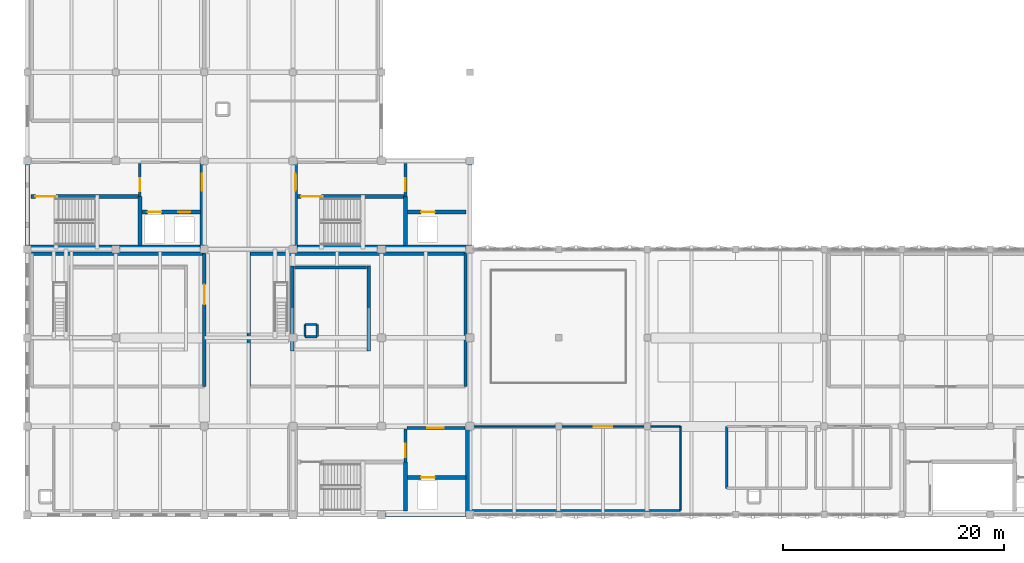
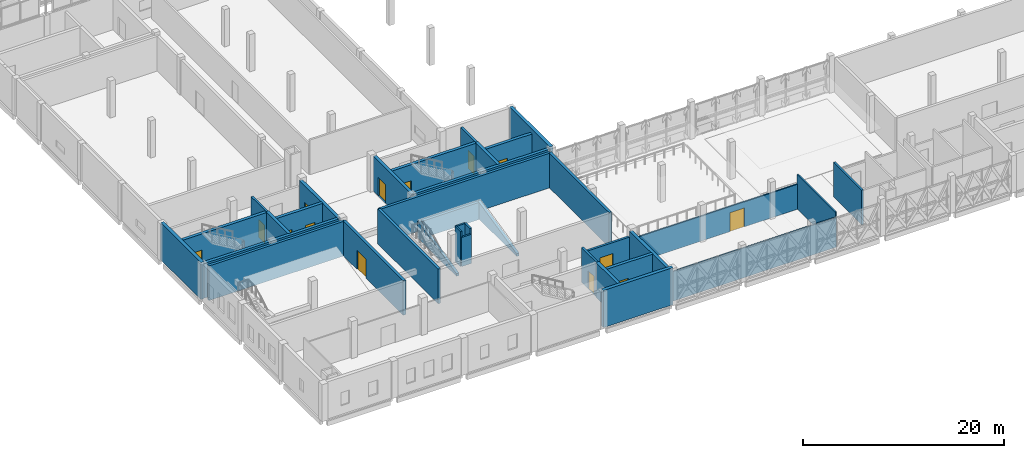
# One storey, part 36 of 43: 36 walls, 14 doors, 14 openings.
"""IFC4 building model written with IfcOpenShell, lengths in metres."""

import ifcopenshell
import ifcopenshell.guid

model = None  # the IFC model being written
_history = None  # IfcOwnerHistory: only IFC2X3 demands one
_inside = {}  # id of a spatial element -> (the spatial element, [elements in it])
_under = {}  # id of a project, library or spatial element -> (it, [spatial elements below it])
_declared = {}  # id of a project -> (the project, [libraries it declares])
_typed = {}  # id of a type object -> (the type object, [elements of that type])
_made_of = {}  # id of a material, layer set ... -> (it, [elements and type objects made of it])


def new_model(schema):
    """Start an empty IFC model of exactly this schema.

    Asked for "IFC4X3", IfcOpenShell would pick the latest addendum, in which some entities
    have other attributes; the version numbers below select the first issue.
    IFC2X3 requires an IfcOwnerHistory on every rooted entity: one is made here for all.
    """
    global model, _history
    if schema == "IFC4X3":
        model = ifcopenshell.file(schema_version=(4, 3, 0, 0))
    else:
        model = ifcopenshell.file(schema=schema)
    _inside.clear()
    _under.clear()
    _declared.clear()
    _typed.clear()
    _made_of.clear()
    _history = None
    if model.schema == "IFC2X3":
        org = make("IfcOrganization", Name="unknown")
        user = make(
            "IfcPersonAndOrganization",
            ThePerson=make("IfcPerson", FamilyName="unknown"),
            TheOrganization=org,
        )
        app = make(
            "IfcApplication",
            ApplicationDeveloper=org,
            Version="unknown",
            ApplicationFullName="unknown",
            ApplicationIdentifier="unknown",
        )
        _history = make(
            "IfcOwnerHistory",
            OwningUser=user,
            OwningApplication=app,
            ChangeAction="ADDED",
            CreationDate=0,
        )
    return model


def make(cls, **values):
    """One entity of the class cls with the attributes given. An attribute that is None is left unset."""
    return model.create_entity(
        cls, **{name: value for name, value in values.items() if value is not None}
    )


def rooted(cls, **values):
    """An entity with a GlobalId (a new one), such as an element, a storey or a relation."""
    return make(cls, GlobalId=ifcopenshell.guid.new(), OwnerHistory=_history, **values)


def si_unit(unit_type, name, prefix=None):
    """IfcSIUnit, for example si_unit("LENGTHUNIT", "METRE", prefix="MILLI")."""
    return make("IfcSIUnit", UnitType=unit_type, Prefix=prefix, Name=name)


def assignment(units):
    """IfcUnitAssignment: the units of a project."""
    return None if units is None else make("IfcUnitAssignment", Units=units)


def point(xyz):
    """IfcCartesianPoint."""
    return None if xyz is None else make("IfcCartesianPoint", Coordinates=xyz)


def direction(xyz):
    """IfcDirection."""
    return None if xyz is None else make("IfcDirection", DirectionRatios=xyz)


def frame(location, z_axis=None, x_axis=None):
    """IfcAxis2Placement3D, a coordinate frame: its origin and axes. An axis left out is left unset."""
    return make(
        "IfcAxis2Placement3D",
        Location=point(location),
        Axis=direction(z_axis),
        RefDirection=direction(x_axis),
    )


def frame_2d(location, x_axis=None):
    """IfcAxis2Placement2D, a coordinate frame in the plane: its origin and x axis."""
    return make(
        "IfcAxis2Placement2D", Location=point(location), RefDirection=direction(x_axis)
    )


def origin():
    """The frame at (0, 0, 0) with its axes left unset."""
    return frame((0.0, 0.0, 0.0))


def place(relative_to, where):
    """IfcLocalPlacement: puts the frame where relative to a parent placement (None: the world)."""
    return make(
        "IfcLocalPlacement", PlacementRelTo=relative_to, RelativePlacement=where
    )


def context(
    kind, dimensions, precision=None, world=None, true_north=None, identifier=None
):
    """IfcGeometricRepresentationContext, for example the 3D "Model" context."""
    return make(
        "IfcGeometricRepresentationContext",
        ContextIdentifier=identifier,
        ContextType=kind,
        CoordinateSpaceDimension=dimensions,
        Precision=precision,
        WorldCoordinateSystem=world,
        TrueNorth=true_north,
    )


def subcontext(parent, identifier, kind, view, scale=None):
    """IfcGeometricRepresentationSubContext, for example "Body" below "Model"."""
    return make(
        "IfcGeometricRepresentationSubContext",
        ContextIdentifier=identifier,
        ContextType=kind,
        ParentContext=parent,
        TargetScale=scale,
        TargetView=view,
    )


def project(units=None, contexts=None):
    """IfcProject with its units and contexts."""
    return rooted(
        "IfcProject",
        Name="project",
        RepresentationContexts=contexts,
        UnitsInContext=assignment(units),
    )


def spatial(cls, under=None, at=None, **own):
    """A site, building, storey or space (cls), placed at a placement, below another one or the project."""
    s = rooted(cls, ObjectPlacement=at, **own)
    if under is not None:
        _under.setdefault(under.id(), (under, []))[1].append(s)
    return s


def polyline(points):
    """IfcPolyline through the points."""
    return make("IfcPolyline", Points=[point(p) for p in points])


def profile(cls, at=None, kind="AREA", **sizes):
    """A parametric profile (cls). Its sizes go by their IFC names, for example OverallWidth=200.0."""
    return make(cls, ProfileType=kind, Position=at, **sizes)


def rectangle(**sizes):
    """IfcRectangleProfileDef."""
    return profile("IfcRectangleProfileDef", **sizes)


def outline(outer, holes=None, kind="AREA"):
    """IfcArbitraryClosedProfileDef: a profile drawn as a closed curve; with holes, ...WithVoids."""
    if holes is None:
        return make("IfcArbitraryClosedProfileDef", ProfileType=kind, OuterCurve=outer)
    return make(
        "IfcArbitraryProfileDefWithVoids",
        ProfileType=kind,
        OuterCurve=outer,
        InnerCurves=holes,
    )


def extrude(swept, where, along, depth):
    """IfcExtrudedAreaSolid: the profile swept, set in the frame where, extruded along a direction by depth."""
    return make(
        "IfcExtrudedAreaSolid",
        SweptArea=swept,
        Position=where,
        ExtrudedDirection=direction(along),
        Depth=depth,
    )


def shape(context_of_items, identifier, shape_type, items):
    """IfcShapeRepresentation: the items that make up one representation, for example the "Body"."""
    return make(
        "IfcShapeRepresentation",
        ContextOfItems=context_of_items,
        RepresentationIdentifier=identifier,
        RepresentationType=shape_type,
        Items=items,
    )


def material(Name=None, Category=None):
    """IfcMaterial."""
    return make("IfcMaterial", Name=Name, Category=Category)


def layer(
    of_material, thickness, ventilated=None, Name=None, Category=None, Priority=None
):
    """IfcMaterialLayer: one layer of a wall or slab, of a material (None: an air gap)."""
    return make(
        "IfcMaterialLayer",
        Material=of_material,
        LayerThickness=thickness,
        IsVentilated=ventilated,
        Name=Name,
        Category=Category,
        Priority=Priority,
    )


def layer_set(layers, Name=None):
    """IfcMaterialLayerSet."""
    return make("IfcMaterialLayerSet", MaterialLayers=layers, LayerSetName=Name)


def made_of(thing, what):
    """Note that an element or type object is made of a material, layer set ...; save() writes the relation."""
    if what is not None:
        _made_of.setdefault(what.id(), (what, []))[1].append(thing)
    return thing


def type_object(cls, material=None, **own):
    """A type object (cls), such as IfcWallType, which elements share."""
    return made_of(rooted(cls, **own), material)


def element(
    cls,
    number,
    at=None,
    inside=None,
    cuts=None,
    type_object=None,
    material=None,
    context=None,
    identifier="Body",
    shape_type=None,
    held_by="IfcProductDefinitionShape",
    body=None,
    shapes=None,
    **own,
):
    """One element of the class cls, such as IfcWall. Its Tag is "e" and its number.

    at: its placement. inside: the storey or other place that contains it. cuts: it is an
    opening in that element (IfcRelVoidsElement). A single representation is given by context,
    identifier, shape_type and body (its items); several are given by shapes. held_by: the class
    of the entity that holds the representations. save() writes the other relations.
    """
    e = rooted(cls, Tag="e%d" % number, ObjectPlacement=at, **own)
    if body is not None:
        shapes = [shape(context, identifier, shape_type, body)]
    if shapes is not None:
        e.Representation = make(held_by, Representations=shapes)
    if inside is not None:
        _inside.setdefault(inside.id(), (inside, []))[1].append(e)
    if cuts is not None:
        rooted(
            "IfcRelVoidsElement", RelatingBuildingElement=cuts, RelatedOpeningElement=e
        )
    if type_object is not None:
        _typed.setdefault(type_object.id(), (type_object, []))[1].append(e)
    return made_of(e, material)


def fill(opening, filler):
    """IfcRelFillsElement: the door or window that sits in an opening."""
    return rooted(
        "IfcRelFillsElement",
        RelatingOpeningElement=opening,
        RelatedBuildingElement=filler,
    )


def aggregate(whole, parts):
    """IfcRelAggregates: a whole, such as a stair, and the parts it consists of."""
    return rooted("IfcRelAggregates", RelatingObject=whole, RelatedObjects=parts)


def save(model, path):
    """Write the relations noted so far, then the file.

    IfcRelAggregates (storeys below a building ...), IfcRelContainedInSpatialStructure (elements
    in a storey), IfcRelDefinesByType, IfcRelAssociatesMaterial and IfcRelDeclares: one each for
    every whole, place, type object, material and project.
    """
    for whole, parts in _under.values():
        aggregate(whole, parts)
    for where, things in _inside.values():
        rooted(
            "IfcRelContainedInSpatialStructure",
            RelatedElements=things,
            RelatingStructure=where,
        )
    for kind, things in _typed.values():
        rooted("IfcRelDefinesByType", RelatedObjects=things, RelatingType=kind)
    for what, things in _made_of.values():
        rooted("IfcRelAssociatesMaterial", RelatedObjects=things, RelatingMaterial=what)
    for by, libraries in _declared.values():
        rooted("IfcRelDeclares", RelatingContext=by, RelatedDefinitions=libraries)
    model.write(path)


model = new_model("IFC4")

# Units and contexts
model_context = context("Model", 3, precision=1e-05, world=origin(), true_north=direction((0.0, 1.0)))
body_context = subcontext(model_context, "Body", "Model", "MODEL_VIEW")
ifc_project = project(units=[si_unit("LENGTHUNIT", "METRE"), si_unit("AREAUNIT", "SQUARE_METRE"), si_unit("VOLUMEUNIT", "CUBIC_METRE"), si_unit("PLANEANGLEUNIT", "RADIAN"), si_unit("MASSUNIT", "GRAM", prefix="KILO")], contexts=[model_context])

# Site, building, storey
site_placement = place(None, origin())
site = spatial("IfcSite", under=ifc_project, at=site_placement, CompositionType="ELEMENT")
building_placement = place(site_placement, origin())
building = spatial("IfcBuilding", under=site, at=building_placement, Name="Qorikala Patio Media Centre", CompositionType="ELEMENT")
storey_placement = place(building_placement, frame((0.0, 0.0, 18.89990234375)))
storey = spatial("IfcBuildingStorey", under=building, at=storey_placement, Name="L04", CompositionType="ELEMENT", Elevation=18.89990234375)

# Walls
ifc_material_1 = material(Name="Concrete C35/45", Category="concrete")
ifc_layer_1 = layer(ifc_material_1, 0.300048828125)
ifc_layer_set_1 = layer_set([ifc_layer_1], Name="Concrete C35/45")
wall_type_1 = type_object("IfcWallType", Name="WL-AC-300", PredefinedType="SHEAR", material=ifc_layer_set_1)
for number, where, z_axis, x_axis, name in (
    (1, (26.949951171875, 17.800048828125, 0.0), (0.0, 0.0, 1.0), (0.0, 1.0, 0.0), "Cinema Screen 6 Raked Seating Tier Raker Cheek Wall W"),
    (2, (33.85009765625, 17.800048828125, 0.0), (0.0, 0.0, 1.0), (0.0, 1.0, 0.0), "Cinema Screen 6 Raked Seating Tier Raker Cheek Wall E"),
):
    element("IfcWall", number, at=place(storey_placement, frame(where, z_axis=z_axis, x_axis=x_axis)), inside=storey, type_object=wall_type_1, Name=name, PredefinedType="SHEAR", context=body_context, shape_type="SweptSolid", body=[
        extrude(outline(polyline([(0.0, 0.0), (7.699951171875, 0.0), (7.699951171875, 2.070068359375), (0.0, 0.320068359375), (0.0, 0.0)])), frame((0.0, 0.14990234375, 0.0), z_axis=(0.0, -1.0, 0.0), x_axis=(1.0, 0.0, 0.0)), (0.0, 0.0, 1.0), 0.300048828125),
    ])
wall_1_placement = place(storey_placement, frame((27.14990234375, 25.35009765625, 0.0), z_axis=(0.0, 0.0, 1.0), x_axis=(1.0, 0.0, 0.0)))
element("IfcWall", 3, at=wall_1_placement, inside=storey, type_object=wall_type_1, Name="Cinema Screen 6 Raked Seating Tier Rear Riser Support Wall", PredefinedType="SHEAR", context=body_context, shape_type="SweptSolid", body=[
    extrude(rectangle(XDim=6.5, YDim=0.300048828125, at=frame_2d((3.25, 0.0))), origin(), (0.0, 0.0, 1.0), 2.070068359375),
])

# Wall, opening, door
wall_2_placement = place(storey_placement, frame((19.0, 14.60009765625, 0.0), z_axis=(0.0, 0.0, 1.0), x_axis=(0.0, 1.0, 0.0)))
wall_2 = element("IfcWall", 4, at=wall_2_placement, inside=storey, type_object=wall_type_1, Name="L04 Interior Wall WINT-L04-SCR5-E", PredefinedType="SHEAR", context=body_context, shape_type="SweptSolid", body=[
    extrude(rectangle(XDim=12.0, YDim=0.300048828125, at=frame_2d((6.0, 0.0))), origin(), (0.0, 0.0, 1.0), 4.2001953125),
])
opening_1_placement = place(wall_2_placement, frame((7.4130859375, 0.0, 0.0)))
opening_1 = element("IfcOpeningElement", 5, at=opening_1_placement, cuts=wall_2, Name="Opening D302", PredefinedType="OPENING", context=body_context, shape_type="SweptSolid", body=[
    extrude(rectangle(XDim=1.800048828125, YDim=2.300048828125, at=frame_2d((0.89990234375, 1.14990234375))), frame((0.0, 0.159912109375, 0.0), z_axis=(0.0, -1.0, 0.0), x_axis=(1.0, 0.0, 0.0)), (0.0, 0.0, 1.0), 0.320068359375),
])
ifc_material_2 = material(Name="Powder-Coated Acoustic Fire Steel", Category="steel")
door_type_1 = type_object("IfcDoorType", Name="DR-FD90-180X230", OperationType="DOUBLE_DOOR_SINGLE_SWING", PredefinedType="DOOR", material=ifc_material_2)
door_1_placement = place(opening_1_placement, origin())
door_1 = element("IfcDoor", 6, at=door_1_placement, inside=storey, type_object=door_type_1, Name="Cinema Screen 5 Door 091", OperationType="DOUBLE_DOOR_SINGLE_SWING", OverallHeight=2.300048828125, OverallWidth=1.800048828125, PredefinedType="DOOR", context=body_context, shape_type="SweptSolid", body=[
    extrude(rectangle(XDim=1.800048828125, YDim=2.300048828125, at=frame_2d((0.89990234375, 1.14990234375))), frame((0.0, 0.02490234375, 0.0), z_axis=(0.0, -1.0, 0.0), x_axis=(1.0, 0.0, 0.0)), (0.0, 0.0, 1.0), 0.050048828125),
])
fill(opening_1, door_1)

# Walls
wall_3_placement = place(storey_placement, frame((3.39990234375, 26.60009765625, 0.0), z_axis=(0.0, 0.0, 1.0), x_axis=(1.0, 0.0, 0.0)))
element("IfcWall", 7, at=wall_3_placement, inside=storey, type_object=wall_type_1, Name="L04 Interior Wall WINT-L04-SCR5-N", PredefinedType="SHEAR", context=body_context, shape_type="SweptSolid", body=[
    extrude(rectangle(XDim=15.60009765625, YDim=0.300048828125, at=frame_2d((7.800048828125, 0.0))), origin(), (0.0, 0.0, 1.0), 4.2001953125),
])
wall_4_placement = place(storey_placement, frame((42.60009765625, 14.60009765625, 0.0), z_axis=(0.0, 0.0, 1.0), x_axis=(0.0, 1.0, 0.0)))
element("IfcWall", 8, at=wall_4_placement, inside=storey, type_object=wall_type_1, Name="L04 Interior Wall WINT-L04-SCR6-E", PredefinedType="SHEAR", context=body_context, shape_type="SweptSolid", body=[
    extrude(rectangle(XDim=12.0, YDim=0.300048828125, at=frame_2d((6.0, 0.0))), origin(), (0.0, 0.0, 1.0), 4.2001953125),
])
wall_5_placement = place(storey_placement, frame((23.0, 26.60009765625, 0.0), z_axis=(0.0, 0.0, 1.0), x_axis=(1.0, 0.0, 0.0)))
element("IfcWall", 9, at=wall_5_placement, inside=storey, type_object=wall_type_1, Name="L04 Interior Wall WINT-L04-SCR6-N", PredefinedType="SHEAR", context=body_context, shape_type="SweptSolid", body=[
    extrude(rectangle(XDim=19.60009765625, YDim=0.300048828125, at=frame_2d((9.800048828125, 0.0))), origin(), (0.0, 0.0, 1.0), 4.2001953125),
])
wall_6_placement = place(storey_placement, frame((23.0, 14.60009765625, 0.0), z_axis=(0.0, 0.0, 1.0), x_axis=(0.0, 1.0, 0.0)))
element("IfcWall", 10, at=wall_6_placement, inside=storey, type_object=wall_type_1, Name="L04 Interior Wall WINT-L04-SCR6-W", PredefinedType="SHEAR", context=body_context, shape_type="SweptSolid", body=[
    extrude(rectangle(XDim=12.0, YDim=0.300048828125, at=frame_2d((6.0, 0.0))), origin(), (0.0, 0.0, 1.0), 4.2001953125),
])
ifc_layer_2 = layer(ifc_material_1, 0.35009765625)
ifc_layer_set_2 = layer_set([ifc_layer_2], Name="Concrete C35/45")
wall_type_2 = type_object("IfcWallType", Name="WL-CORE-350", PredefinedType="SHEAR", material=ifc_layer_set_2)
wall_7_placement = place(storey_placement, frame((37.175048828125, 3.35009765625, 0.0), z_axis=(0.0, 0.0, 1.0), x_axis=(0.0, 1.0, 0.0)))
element("IfcWall", 11, at=wall_7_placement, inside=storey, type_object=wall_type_2, Name="L04 Interior Wall CW-L04-C1-SE", PredefinedType="SHEAR", context=body_context, shape_type="SweptSolid", body=[
    extrude(rectangle(XDim=4.4248046875, YDim=0.35009765625, at=frame_2d((2.21240234375, 0.0))), origin(), (0.0, 0.0, 1.0), 4.2001953125),
])
wall_8_placement = place(storey_placement, frame((42.77490234375, 3.199951171875, 0.0), z_axis=(0.0, 0.0, 1.0), x_axis=(0.0, 1.0, 0.0)))
element("IfcWall", 12, at=wall_8_placement, inside=storey, type_object=wall_type_2, Name="L04 Interior Wall CW-L04-C1-EE", PredefinedType="SHEAR", context=body_context, shape_type="SweptSolid", body=[
    extrude(rectangle(XDim=7.60009765625, YDim=0.35009765625, at=frame_2d((3.800048828125, 0.0))), origin(), (0.0, 0.0, 1.0), 4.2001953125),
])

# Wall, opening, door
wall_9_placement = place(storey_placement, frame((37.175048828125, 6.375, 0.0), z_axis=(0.0, 0.0, 1.0), x_axis=(1.0, 0.0, 0.0)))
wall_9 = element("IfcWall", 13, at=wall_9_placement, inside=storey, type_object=wall_type_2, Name="L04 Interior Wall CW-L04-C1-LFN", PredefinedType="SHEAR", context=body_context, shape_type="SweptSolid", body=[
    extrude(rectangle(XDim=5.474853515625, YDim=0.35009765625, at=frame_2d((2.7373046875, 0.0))), origin(), (0.0, 0.0, 1.0), 4.2001953125),
])
opening_2_placement = place(wall_9_placement, frame((1.39990234375, 0.0, 0.0)))
opening_2 = element("IfcOpeningElement", 14, at=opening_2_placement, cuts=wall_9, Name="Opening LD06", PredefinedType="OPENING", context=body_context, shape_type="SweptSolid", body=[
    extrude(rectangle(XDim=1.25, YDim=2.25, at=frame_2d((0.625, 1.125))), frame((0.0, 0.18505859375, 0.0), z_axis=(0.0, -1.0, 0.0), x_axis=(1.0, 0.0, 0.0)), (0.0, 0.0, 1.0), 0.3701171875),
])
ifc_material_3 = material(Name="Brushed Bronze Stainless Steel", Category="steel")
door_type_2 = type_object("IfcDoorType", Name="DR-LD-125X225", OperationType="DOUBLE_DOOR_SLIDING", PredefinedType="DOOR", material=ifc_material_3)
door_2_placement = place(opening_2_placement, origin())
door_2 = element("IfcDoor", 15, at=door_2_placement, inside=storey, type_object=door_type_2, Name="L04 Lift LF-01 Sliding Landing Door", OperationType="DOUBLE_DOOR_SLIDING", OverallHeight=2.25, OverallWidth=1.25, PredefinedType="DOOR", context=body_context, shape_type="SweptSolid", body=[
    extrude(rectangle(XDim=1.25, YDim=2.25, at=frame_2d((0.625, 1.125))), frame((0.0, 0.02490234375, 0.0), z_axis=(0.0, -1.0, 0.0), x_axis=(1.0, 0.0, 0.0)), (0.0, 0.0, 1.0), 0.050048828125),
])
fill(opening_2, door_2)

# Walls
wall_10_placement = place(storey_placement, frame((3.199951171875, 27.22509765625, 0.0), z_axis=(0.0, 0.0, 1.0), x_axis=(1.0, 0.0, 0.0)))
element("IfcWall", 16, at=wall_10_placement, inside=storey, type_object=wall_type_2, Name="L04 Core C2 Stair South Wall", PredefinedType="SHEAR", context=body_context, shape_type="SweptSolid", body=[
    extrude(rectangle(XDim=15.60009765625, YDim=0.35009765625, at=frame_2d((7.800048828125, 0.0))), origin(), (0.0, 0.0, 1.0), 4.2001953125),
])
wall_11_placement = place(storey_placement, frame((13.175048828125, 27.35009765625, 0.0), z_axis=(0.0, 0.0, 1.0), x_axis=(0.0, 1.0, 0.0)))
element("IfcWall", 17, at=wall_11_placement, inside=storey, type_object=wall_type_2, Name="L04 Interior Wall CW-L04-C2-SE", PredefinedType="SHEAR", context=body_context, shape_type="SweptSolid", body=[
    extrude(rectangle(XDim=4.4248046875, YDim=0.35009765625, at=frame_2d((2.21240234375, 0.0))), origin(), (0.0, 0.0, 1.0), 4.2001953125),
])

# Wall, opening, door
wall_12_placement = place(storey_placement, frame((18.77490234375, 27.199951171875, 0.0), z_axis=(0.0, 0.0, 1.0), x_axis=(0.0, 1.0, 0.0)))
wall_12 = element("IfcWall", 18, at=wall_12_placement, inside=storey, type_object=wall_type_2, Name="L04 Interior Wall CW-L04-C2-EE", PredefinedType="SHEAR", context=body_context, shape_type="SweptSolid", body=[
    extrude(rectangle(XDim=7.60009765625, YDim=0.35009765625, at=frame_2d((3.800048828125, 0.0))), origin(), (0.0, 0.0, 1.0), 4.2001953125),
])
opening_3_placement = place(wall_12_placement, frame((5.10009765625, 0.0, 0.0)))
opening_3 = element("IfcOpeningElement", 19, at=opening_3_placement, cuts=wall_12, Name="Opening D084", PredefinedType="OPENING", context=body_context, shape_type="SweptSolid", body=[
    extrude(rectangle(XDim=1.5, YDim=2.199951171875, at=frame_2d((0.75, 1.10009765625))), frame((0.0, 0.18505859375, 0.0), z_axis=(0.0, -1.0, 0.0), x_axis=(1.0, 0.0, 0.0)), (0.0, 0.0, 1.0), 0.3701171875),
])
door_type_3 = type_object("IfcDoorType", Name="DR-FD60-150X220", OperationType="DOUBLE_DOOR_SINGLE_SWING", PredefinedType="DOOR", material=ifc_material_2)
door_3_placement = place(opening_3_placement, origin())
door_3 = element("IfcDoor", 20, at=door_3_placement, inside=storey, type_object=door_type_3, Name="L04 Core C2 East Corridor Fire Door", OperationType="DOUBLE_DOOR_SINGLE_SWING", OverallHeight=2.199951171875, OverallWidth=1.5, PredefinedType="DOOR", context=body_context, shape_type="SweptSolid", body=[
    extrude(rectangle(XDim=1.5, YDim=2.199951171875, at=frame_2d((0.75, 1.10009765625))), frame((0.0, 0.02490234375, 0.0), z_axis=(0.0, -1.0, 0.0), x_axis=(1.0, 0.0, 0.0)), (0.0, 0.0, 1.0), 0.050048828125),
])
fill(opening_3, door_3)

wall_13_placement = place(storey_placement, frame((3.35009765625, 31.77490234375, 0.0), z_axis=(0.0, 0.0, 1.0), x_axis=(1.0, 0.0, 0.0)))
wall_13 = element("IfcWall", 21, at=wall_13_placement, inside=storey, type_object=wall_type_2, Name="L04 Interior Wall CW-L04-C2-SN", PredefinedType="SHEAR", context=body_context, shape_type="SweptSolid", body=[
    extrude(rectangle(XDim=9.824951171875, YDim=0.35009765625, at=frame_2d((4.91259765625, 0.0))), origin(), (0.0, 0.0, 1.0), 4.2001953125),
])
opening_4_placement = place(wall_13_placement, frame((0.39990234375, 0.0, 0.0)))
opening_4 = element("IfcOpeningElement", 22, at=opening_4_placement, cuts=wall_13, Name="Opening D080", PredefinedType="OPENING", context=body_context, shape_type="SweptSolid", body=[
    extrude(rectangle(XDim=1.85009765625, YDim=2.25, at=frame_2d((0.925048828125, 1.125))), frame((0.0, 0.18505859375, 0.0), z_axis=(0.0, -1.0, 0.0), x_axis=(1.0, 0.0, 0.0)), (0.0, 0.0, 1.0), 0.3701171875),
])
door_type_4 = type_object("IfcDoorType", Name="DR-FD60-185X225", OperationType="DOUBLE_DOOR_SINGLE_SWING", PredefinedType="DOOR", material=ifc_material_2)
door_4_placement = place(opening_4_placement, origin())
door_4 = element("IfcDoor", 23, at=door_4_placement, inside=storey, type_object=door_type_4, Name="L04 Stair ST-2 Fire Door", OperationType="DOUBLE_DOOR_SINGLE_SWING", OverallHeight=2.25, OverallWidth=1.85009765625, PredefinedType="DOOR", context=body_context, shape_type="SweptSolid", body=[
    extrude(rectangle(XDim=1.85009765625, YDim=2.25, at=frame_2d((0.925048828125, 1.125))), frame((0.0, 0.02490234375, 0.0), z_axis=(0.0, -1.0, 0.0), x_axis=(1.0, 0.0, 0.0)), (0.0, 0.0, 1.0), 0.050048828125),
])
fill(opening_4, door_4)

# Wall, openings, doors
wall_14_placement = place(storey_placement, frame((13.175048828125, 30.375, 0.0), z_axis=(0.0, 0.0, 1.0), x_axis=(1.0, 0.0, 0.0)))
wall_14 = element("IfcWall", 24, at=wall_14_placement, inside=storey, type_object=wall_type_2, Name="L04 Interior Wall CW-L04-C2-LFN", PredefinedType="SHEAR", context=body_context, shape_type="SweptSolid", body=[
    extrude(rectangle(XDim=5.474853515625, YDim=0.35009765625, at=frame_2d((2.7373046875, 0.0))), origin(), (0.0, 0.0, 1.0), 4.2001953125),
])
opening_5_placement = place(wall_14_placement, frame((0.699951171875, 0.0, 0.0)))
opening_5 = element("IfcOpeningElement", 25, at=opening_5_placement, cuts=wall_14, Name="Opening LD18", PredefinedType="OPENING", context=body_context, shape_type="SweptSolid", body=[
    extrude(rectangle(XDim=1.25, YDim=2.25, at=frame_2d((0.625, 1.125))), frame((0.0, 0.18505859375, 0.0), z_axis=(0.0, -1.0, 0.0), x_axis=(1.0, 0.0, 0.0)), (0.0, 0.0, 1.0), 0.3701171875),
])
opening_6_placement = place(wall_14_placement, frame((3.47509765625, 0.0, 0.0)))
opening_6 = element("IfcOpeningElement", 26, at=opening_6_placement, cuts=wall_14, Name="Opening LD19", PredefinedType="OPENING", context=body_context, shape_type="SweptSolid", body=[
    extrude(rectangle(XDim=1.10009765625, YDim=2.199951171875, at=frame_2d((0.550048828125, 1.10009765625))), frame((0.0, 0.18505859375, 0.0), z_axis=(0.0, -1.0, 0.0), x_axis=(1.0, 0.0, 0.0)), (0.0, 0.0, 1.0), 0.3701171875),
])
door_type_5 = type_object("IfcDoorType", Name="DR-LD-110X220", OperationType="DOUBLE_DOOR_SLIDING", PredefinedType="DOOR", material=ifc_material_3)
door_5_placement = place(opening_6_placement, origin())
door_5 = element("IfcDoor", 27, at=door_5_placement, inside=storey, type_object=door_type_5, Name="L04 Lift LP-04 Sliding Landing Door", OperationType="DOUBLE_DOOR_SLIDING", OverallHeight=2.199951171875, OverallWidth=1.10009765625, PredefinedType="DOOR", context=body_context, shape_type="SweptSolid", body=[
    extrude(rectangle(XDim=1.10009765625, YDim=2.199951171875, at=frame_2d((0.550048828125, 1.10009765625))), frame((0.0, 0.02490234375, 0.0), z_axis=(0.0, -1.0, 0.0), x_axis=(1.0, 0.0, 0.0)), (0.0, 0.0, 1.0), 0.050048828125),
])
fill(opening_6, door_5)
door_6_placement = place(opening_5_placement, origin())
door_6 = element("IfcDoor", 28, at=door_6_placement, inside=storey, type_object=door_type_2, Name="L04 Lift LF-02 Sliding Landing Door", OperationType="DOUBLE_DOOR_SLIDING", OverallHeight=2.25, OverallWidth=1.25, PredefinedType="DOOR", context=body_context, shape_type="SweptSolid", body=[
    extrude(rectangle(XDim=1.25, YDim=2.25, at=frame_2d((0.625, 1.125))), frame((0.0, 0.02490234375, 0.0), z_axis=(0.0, -1.0, 0.0), x_axis=(1.0, 0.0, 0.0)), (0.0, 0.0, 1.0), 0.050048828125),
])
fill(opening_5, door_6)

# Wall
wall_15_placement = place(storey_placement, frame((27.199951171875, 27.22509765625, 0.0), z_axis=(0.0, 0.0, 1.0), x_axis=(1.0, 0.0, 0.0)))
element("IfcWall", 29, at=wall_15_placement, inside=storey, type_object=wall_type_2, Name="L04 Core C5 Stair South Wall", PredefinedType="SHEAR", context=body_context, shape_type="SweptSolid", body=[
    extrude(rectangle(XDim=15.60009765625, YDim=0.35009765625, at=frame_2d((7.800048828125, 0.0))), origin(), (0.0, 0.0, 1.0), 4.2001953125),
])

# Wall, opening, door
wall_16_placement = place(storey_placement, frame((27.22509765625, 27.199951171875, 0.0), z_axis=(0.0, 0.0, 1.0), x_axis=(0.0, 1.0, 0.0)))
wall_16 = element("IfcWall", 30, at=wall_16_placement, inside=storey, type_object=wall_type_2, Name="L04 Interior Wall CW-L04-C5-SW", PredefinedType="SHEAR", context=body_context, shape_type="SweptSolid", body=[
    extrude(rectangle(XDim=7.60009765625, YDim=0.35009765625, at=frame_2d((3.800048828125, 0.0))), origin(), (0.0, 0.0, 1.0), 4.2001953125),
])
opening_7_placement = place(wall_16_placement, frame((5.10009765625, 0.0, 0.0)))
opening_7 = element("IfcOpeningElement", 31, at=opening_7_placement, cuts=wall_16, Name="Opening D166", PredefinedType="OPENING", context=body_context, shape_type="SweptSolid", body=[
    extrude(rectangle(XDim=1.5, YDim=2.199951171875, at=frame_2d((0.75, 1.10009765625))), frame((0.0, 0.18505859375, 0.0), z_axis=(0.0, -1.0, 0.0), x_axis=(1.0, 0.0, 0.0)), (0.0, 0.0, 1.0), 0.3701171875),
])
door_7_placement = place(opening_7_placement, origin())
door_7 = element("IfcDoor", 32, at=door_7_placement, inside=storey, type_object=door_type_3, Name="L04 Core C5 West Corridor Fire Door", OperationType="DOUBLE_DOOR_SINGLE_SWING", OverallHeight=2.199951171875, OverallWidth=1.5, PredefinedType="DOOR", context=body_context, shape_type="SweptSolid", body=[
    extrude(rectangle(XDim=1.5, YDim=2.199951171875, at=frame_2d((0.75, 1.10009765625))), frame((0.0, 0.02490234375, 0.0), z_axis=(0.0, -1.0, 0.0), x_axis=(1.0, 0.0, 0.0)), (0.0, 0.0, 1.0), 0.050048828125),
])
fill(opening_7, door_7)

# Wall
wall_17_placement = place(storey_placement, frame((37.175048828125, 27.35009765625, 0.0), z_axis=(0.0, 0.0, 1.0), x_axis=(0.0, 1.0, 0.0)))
element("IfcWall", 33, at=wall_17_placement, inside=storey, type_object=wall_type_2, Name="L04 Interior Wall CW-L04-C5-SE", PredefinedType="SHEAR", context=body_context, shape_type="SweptSolid", body=[
    extrude(rectangle(XDim=4.4248046875, YDim=0.35009765625, at=frame_2d((2.21240234375, 0.0))), origin(), (0.0, 0.0, 1.0), 4.2001953125),
])

# Wall, opening, door
wall_18_placement = place(storey_placement, frame((27.35009765625, 31.77490234375, 0.0), z_axis=(0.0, 0.0, 1.0), x_axis=(1.0, 0.0, 0.0)))
wall_18 = element("IfcWall", 34, at=wall_18_placement, inside=storey, type_object=wall_type_2, Name="L04 Interior Wall CW-L04-C5-SN", PredefinedType="SHEAR", context=body_context, shape_type="SweptSolid", body=[
    extrude(rectangle(XDim=9.824951171875, YDim=0.35009765625, at=frame_2d((4.91259765625, 0.0))), origin(), (0.0, 0.0, 1.0), 4.2001953125),
])
opening_8_placement = place(wall_18_placement, frame((0.39990234375, 0.0, 0.0)))
opening_8 = element("IfcOpeningElement", 35, at=opening_8_placement, cuts=wall_18, Name="Opening D163", PredefinedType="OPENING", context=body_context, shape_type="SweptSolid", body=[
    extrude(rectangle(XDim=1.85009765625, YDim=2.25, at=frame_2d((0.925048828125, 1.125))), frame((0.0, 0.18505859375, 0.0), z_axis=(0.0, -1.0, 0.0), x_axis=(1.0, 0.0, 0.0)), (0.0, 0.0, 1.0), 0.3701171875),
])
door_8_placement = place(opening_8_placement, origin())
door_8 = element("IfcDoor", 36, at=door_8_placement, inside=storey, type_object=door_type_4, Name="L04 Stair ST-5 Fire Door", OperationType="DOUBLE_DOOR_SINGLE_SWING", OverallHeight=2.25, OverallWidth=1.85009765625, PredefinedType="DOOR", context=body_context, shape_type="SweptSolid", body=[
    extrude(rectangle(XDim=1.85009765625, YDim=2.25, at=frame_2d((0.925048828125, 1.125))), frame((0.0, 0.02490234375, 0.0), z_axis=(0.0, -1.0, 0.0), x_axis=(1.0, 0.0, 0.0)), (0.0, 0.0, 1.0), 0.050048828125),
])
fill(opening_8, door_8)

wall_19_placement = place(storey_placement, frame((37.175048828125, 30.375, 0.0), z_axis=(0.0, 0.0, 1.0), x_axis=(1.0, 0.0, 0.0)))
wall_19 = element("IfcWall", 37, at=wall_19_placement, inside=storey, type_object=wall_type_2, Name="L04 Interior Wall CW-L04-C5-LFN", PredefinedType="SHEAR", context=body_context, shape_type="SweptSolid", body=[
    extrude(rectangle(XDim=5.474853515625, YDim=0.35009765625, at=frame_2d((2.7373046875, 0.0))), origin(), (0.0, 0.0, 1.0), 4.2001953125),
])
opening_9_placement = place(wall_19_placement, frame((1.39990234375, 0.0, 0.0)))
opening_9 = element("IfcOpeningElement", 38, at=opening_9_placement, cuts=wall_19, Name="Opening LD45", PredefinedType="OPENING", context=body_context, shape_type="SweptSolid", body=[
    extrude(rectangle(XDim=1.25, YDim=2.25, at=frame_2d((0.625, 1.125))), frame((0.0, 0.18505859375, 0.0), z_axis=(0.0, -1.0, 0.0), x_axis=(1.0, 0.0, 0.0)), (0.0, 0.0, 1.0), 0.3701171875),
])
door_9_placement = place(opening_9_placement, origin())
door_9 = element("IfcDoor", 39, at=door_9_placement, inside=storey, type_object=door_type_2, Name="L04 Lift LP-03 Sliding Landing Door", OperationType="DOUBLE_DOOR_SLIDING", OverallHeight=2.25, OverallWidth=1.25, PredefinedType="DOOR", context=body_context, shape_type="SweptSolid", body=[
    extrude(rectangle(XDim=1.25, YDim=2.25, at=frame_2d((0.625, 1.125))), frame((0.0, 0.02490234375, 0.0), z_axis=(0.0, -1.0, 0.0), x_axis=(1.0, 0.0, 0.0)), (0.0, 0.0, 1.0), 0.050048828125),
])
fill(opening_9, door_9)

ifc_layer_3 = layer(ifc_material_1, 0.25)
ifc_layer_set_3 = layer_set([ifc_layer_3], Name="Concrete C35/45")
wall_type_3 = type_object("IfcWallType", Name="WL-FFL-250", PredefinedType="PARTITIONING", material=ifc_layer_set_3)
wall_20_placement = place(storey_placement, frame((37.175048828125, 7.77490234375, 0.0), z_axis=(0.0, 0.0, 1.0), x_axis=(0.0, 1.0, 0.0)))
wall_20 = element("IfcWall", 40, at=wall_20_placement, inside=storey, type_object=wall_type_3, Name="L04 Interior Wall CW-L04-C1-LBD", PredefinedType="PARTITIONING", context=body_context, shape_type="SweptSolid", body=[
    extrude(rectangle(XDim=2.97509765625, YDim=0.25, at=frame_2d((1.487548828125, 0.0))), origin(), (0.0, 0.0, 1.0), 4.2001953125),
])
opening_10_placement = place(wall_20_placement, frame((0.449951171875, 0.0, 0.0)))
opening_10 = element("IfcOpeningElement", 41, at=opening_10_placement, cuts=wall_20, Name="Opening D044", PredefinedType="OPENING", context=body_context, shape_type="SweptSolid", body=[
    extrude(rectangle(XDim=1.199951171875, YDim=2.199951171875, at=frame_2d((0.60009765625, 1.10009765625))), frame((0.0, 0.135009765625, 0.0), z_axis=(0.0, -1.0, 0.0), x_axis=(1.0, 0.0, 0.0)), (0.0, 0.0, 1.0), 0.27001953125),
])
ifc_material_4 = material(Name="Acoustic Fire Timber and Steel", Category="steel")
door_type_6 = type_object("IfcDoorType", Name="DR-FD60-120X220", OperationType="NOTDEFINED", PredefinedType="DOOR", material=ifc_material_4)
door_10_placement = place(opening_10_placement, origin())
door_10 = element("IfcDoor", 42, at=door_10_placement, inside=storey, type_object=door_type_6, Name="L04 Core C1 Firefighting Lobby Cross Door", OperationType="SINGLE_SWING_RIGHT", OverallHeight=2.199951171875, OverallWidth=1.199951171875, PredefinedType="DOOR", context=body_context, shape_type="SweptSolid", body=[
    extrude(rectangle(XDim=1.199951171875, YDim=2.199951171875, at=frame_2d((0.60009765625, 1.10009765625))), frame((0.0, 0.02490234375, 0.0), z_axis=(0.0, -1.0, 0.0), x_axis=(1.0, 0.0, 0.0)), (0.0, 0.0, 1.0), 0.050048828125),
])
fill(opening_10, door_10)

wall_21_placement = place(storey_placement, frame((37.300048828125, 10.85009765625, 0.0), z_axis=(0.0, 0.0, 1.0), x_axis=(1.0, 0.0, 0.0)))
wall_21 = element("IfcWall", 43, at=wall_21_placement, inside=storey, type_object=wall_type_3, Name="L04 Interior Wall CW-L04-C1-CN2", PredefinedType="PARTITIONING", context=body_context, shape_type="SweptSolid", body=[
    extrude(rectangle(XDim=5.25, YDim=0.25, at=frame_2d((2.625, 0.0))), origin(), (0.0, 0.0, 1.0), 3.53515625),
])
opening_11_placement = place(wall_21_placement, frame((1.85009765625, 0.0, 0.0)))
opening_11 = element("IfcOpeningElement", 44, at=opening_11_placement, cuts=wall_21, Name="Opening D046", PredefinedType="OPENING", context=body_context, shape_type="SweptSolid", body=[
    extrude(rectangle(XDim=1.5, YDim=2.199951171875, at=frame_2d((0.75, 1.10009765625))), frame((0.0, 0.135009765625, 0.0), z_axis=(0.0, -1.0, 0.0), x_axis=(1.0, 0.0, 0.0)), (0.0, 0.0, 1.0), 0.27001953125),
])
door_11_placement = place(opening_11_placement, origin())
door_11 = element("IfcDoor", 45, at=door_11_placement, inside=storey, type_object=door_type_3, Name="L04 Core C1 Firefighting Lobby Door", OperationType="DOUBLE_DOOR_SINGLE_SWING", OverallHeight=2.199951171875, OverallWidth=1.5, PredefinedType="DOOR", context=body_context, shape_type="SweptSolid", body=[
    extrude(rectangle(XDim=1.5, YDim=2.199951171875, at=frame_2d((0.75, 1.10009765625))), frame((0.0, 0.02490234375, 0.0), z_axis=(0.0, -1.0, 0.0), x_axis=(1.0, 0.0, 0.0)), (0.0, 0.0, 1.0), 0.050048828125),
])
fill(opening_11, door_11)

wall_22_placement = place(storey_placement, frame((13.175048828125, 31.77490234375, 0.0), z_axis=(0.0, 0.0, 1.0), x_axis=(0.0, 1.0, 0.0)))
wall_22 = element("IfcWall", 46, at=wall_22_placement, inside=storey, type_object=wall_type_3, Name="L04 Interior Wall CW-L04-C2-LBD", PredefinedType="PARTITIONING", context=body_context, shape_type="SweptSolid", body=[
    extrude(rectangle(XDim=2.97509765625, YDim=0.25, at=frame_2d((1.487548828125, 0.0))), origin(), (0.0, 0.0, 1.0), 4.2001953125),
])
opening_12_placement = place(wall_22_placement, frame((0.449951171875, 0.0, 0.0)))
opening_12 = element("IfcOpeningElement", 47, at=opening_12_placement, cuts=wall_22, Name="Opening D081", PredefinedType="OPENING", context=body_context, shape_type="SweptSolid", body=[
    extrude(rectangle(XDim=1.199951171875, YDim=2.199951171875, at=frame_2d((0.60009765625, 1.10009765625))), frame((0.0, 0.135009765625, 0.0), z_axis=(0.0, -1.0, 0.0), x_axis=(1.0, 0.0, 0.0)), (0.0, 0.0, 1.0), 0.27001953125),
])
door_12_placement = place(opening_12_placement, origin())
door_12 = element("IfcDoor", 48, at=door_12_placement, inside=storey, type_object=door_type_6, Name="L04 Core C2 Firefighting Lobby Cross Door", OperationType="SINGLE_SWING_RIGHT", OverallHeight=2.199951171875, OverallWidth=1.199951171875, PredefinedType="DOOR", context=body_context, shape_type="SweptSolid", body=[
    extrude(rectangle(XDim=1.199951171875, YDim=2.199951171875, at=frame_2d((0.60009765625, 1.10009765625))), frame((0.0, 0.02490234375, 0.0), z_axis=(0.0, -1.0, 0.0), x_axis=(1.0, 0.0, 0.0)), (0.0, 0.0, 1.0), 0.050048828125),
])
fill(opening_12, door_12)

wall_23_placement = place(storey_placement, frame((37.175048828125, 31.77490234375, 0.0), z_axis=(0.0, 0.0, 1.0), x_axis=(0.0, 1.0, 0.0)))
wall_23 = element("IfcWall", 49, at=wall_23_placement, inside=storey, type_object=wall_type_3, Name="L04 Interior Wall CW-L04-C5-LBD", PredefinedType="PARTITIONING", context=body_context, shape_type="SweptSolid", body=[
    extrude(rectangle(XDim=2.97509765625, YDim=0.25, at=frame_2d((1.487548828125, 0.0))), origin(), (0.0, 0.0, 1.0), 4.2001953125),
])
opening_13_placement = place(wall_23_placement, frame((0.449951171875, 0.0, 0.0)))
opening_13 = element("IfcOpeningElement", 50, at=opening_13_placement, cuts=wall_23, Name="Opening D164", PredefinedType="OPENING", context=body_context, shape_type="SweptSolid", body=[
    extrude(rectangle(XDim=1.199951171875, YDim=2.199951171875, at=frame_2d((0.60009765625, 1.10009765625))), frame((0.0, 0.135009765625, 0.0), z_axis=(0.0, -1.0, 0.0), x_axis=(1.0, 0.0, 0.0)), (0.0, 0.0, 1.0), 0.27001953125),
])
door_13_placement = place(opening_13_placement, origin())
door_13 = element("IfcDoor", 51, at=door_13_placement, inside=storey, type_object=door_type_6, Name="L04 Core C5 Firefighting Lobby Cross Door", OperationType="SINGLE_SWING_RIGHT", OverallHeight=2.199951171875, OverallWidth=1.199951171875, PredefinedType="DOOR", context=body_context, shape_type="SweptSolid", body=[
    extrude(rectangle(XDim=1.199951171875, YDim=2.199951171875, at=frame_2d((0.60009765625, 1.10009765625))), frame((0.0, 0.02490234375, 0.0), z_axis=(0.0, -1.0, 0.0), x_axis=(1.0, 0.0, 0.0)), (0.0, 0.0, 1.0), 0.050048828125),
])
fill(opening_13, door_13)

# Walls
ifc_material_5 = material(Name="Acoustic Gypsum Stud Partition")
ifc_layer_4 = layer(ifc_material_5, 0.14990234375)
ifc_layer_set_4 = layer_set([ifc_layer_4], Name="Acoustic Gypsum Stud Partition")
wall_type_4 = type_object("IfcWallType", Name="WL-PT-150", PredefinedType="PARTITIONING", material=ifc_layer_set_4)
wall_24_placement = place(storey_placement, frame((43.0, 3.39990234375, 0.0), z_axis=(0.0, 0.0, 1.0), x_axis=(1.0, 0.0, 0.0)))
element("IfcWall", 52, at=wall_24_placement, inside=storey, type_object=wall_type_4, Name="L04 Interior Wall WINT-L04-NEWS-S", PredefinedType="PARTITIONING", context=body_context, shape_type="SweptSolid", body=[
    extrude(rectangle(XDim=19.0, YDim=0.14990234375, at=frame_2d((9.5, 0.0))), origin(), (0.0, 0.0, 1.0), 3.60498046875),
])
wall_25_placement = place(storey_placement, frame((62.0, 3.39990234375, 0.0), z_axis=(0.0, 0.0, 1.0), x_axis=(0.0, 1.0, 0.0)))
element("IfcWall", 53, at=wall_25_placement, inside=storey, type_object=wall_type_4, Name="L04 Interior Wall WINT-L04-NEWS-E", PredefinedType="PARTITIONING", context=body_context, shape_type="SweptSolid", body=[
    extrude(rectangle(XDim=7.60009765625, YDim=0.14990234375, at=frame_2d((3.800048828125, 0.0))), origin(), (0.0, 0.0, 1.0), 4.2001953125),
])

# Wall, opening, door
wall_26_placement = place(storey_placement, frame((43.0, 11.0, 0.0), z_axis=(0.0, 0.0, 1.0), x_axis=(1.0, 0.0, 0.0)))
wall_26 = element("IfcWall", 54, at=wall_26_placement, inside=storey, type_object=wall_type_4, Name="L04 Interior Wall WINT-L04-NEWS-N", PredefinedType="PARTITIONING", context=body_context, shape_type="SweptSolid", body=[
    extrude(rectangle(XDim=19.0, YDim=0.14990234375, at=frame_2d((9.5, 0.0))), origin(), (0.0, 0.0, 1.0), 3.03515625),
])
opening_14_placement = place(wall_26_placement, frame((11.197998046875, 0.0, 0.0)))
opening_14 = element("IfcOpeningElement", 55, at=opening_14_placement, cuts=wall_26, Name="Opening D305", PredefinedType="OPENING", context=body_context, shape_type="SweptSolid", body=[
    extrude(rectangle(XDim=1.64990234375, YDim=2.300048828125, at=frame_2d((0.824951171875, 1.14990234375))), frame((0.0, 0.0849609375, 0.0), z_axis=(0.0, -1.0, 0.0), x_axis=(1.0, 0.0, 0.0)), (0.0, 0.0, 1.0), 0.169921875),
])
ifc_material_6 = material(Name="Solid Andean Cedar Timber", Category="wood")
door_type_7 = type_object("IfcDoorType", Name="DR-IN-165X230", OperationType="DOUBLE_DOOR_SINGLE_SWING", PredefinedType="DOOR", material=ifc_material_6)
door_14_placement = place(opening_14_placement, origin())
door_14 = element("IfcDoor", 56, at=door_14_placement, inside=storey, type_object=door_type_7, Name="Broadcast Newsroom and Editorial Desk Door 094", OperationType="DOUBLE_DOOR_SINGLE_SWING", OverallHeight=2.300048828125, OverallWidth=1.64990234375, PredefinedType="DOOR", context=body_context, shape_type="SweptSolid", body=[
    extrude(rectangle(XDim=1.64990234375, YDim=2.300048828125, at=frame_2d((0.824951171875, 1.14990234375))), frame((0.0, 0.02490234375, 0.0), z_axis=(0.0, -1.0, 0.0), x_axis=(1.0, 0.0, 0.0)), (0.0, 0.0, 1.0), 0.050048828125),
])
fill(opening_14, door_14)

# Walls
ifc_material_7 = material(Name="Acoustic Masonry and Plaster Concrete C30/37", Category="masonry")
ifc_layer_5 = layer(ifc_material_7, 0.199951171875)
ifc_layer_set_5 = layer_set([ifc_layer_5], Name="Acoustic Masonry and Plaster Concrete C30/37")
wall_type_5 = type_object("IfcWallType", Name="WL-ST-200", PredefinedType="PARTITIONING", material=ifc_layer_set_5)
wall_27_placement = place(storey_placement, frame((66.199951171875, 5.39990234375, 0.0), z_axis=(0.0, 0.0, 1.0), x_axis=(0.0, 1.0, 0.0)))
element("IfcWall", 57, at=wall_27_placement, inside=storey, type_object=wall_type_5, Name="L04 Interior Wall WINT-L04-L4WMWC-W", PredefinedType="PARTITIONING", context=body_context, shape_type="SweptSolid", body=[
    extrude(rectangle(XDim=5.60009765625, YDim=0.199951171875, at=frame_2d((2.800048828125, 0.0))), origin(), (0.0, 0.0, 1.0), 4.2001953125),
])
wall_28_placement = place(storey_placement, frame((28.10009765625, 19.10009765625, 0.0), z_axis=(0.0, 0.0, 1.0), x_axis=(1.0, 0.0, 0.0)))
element("IfcWall", 58, at=wall_28_placement, inside=storey, type_object=wall_type_5, Name="L04 Interior Wall RSW-4-L04-S", PredefinedType="PARTITIONING", context=body_context, shape_type="SweptSolid", body=[
    extrude(rectangle(XDim=1.099853515625, YDim=0.199951171875, at=frame_2d((0.5498046875, 0.0))), origin(), (0.0, 0.0, 1.0), 3.53515625),
])
for number, where, z_axis, x_axis, name in (
    (59, (28.10009765625, 20.199951171875, 0.0), (0.0, 0.0, 1.0), (1.0, 0.0, 0.0), "L04 Interior Wall RSW-4-L04-N"),
    (60, (28.10009765625, 19.10009765625, 0.0), (0.0, 0.0, 1.0), (0.0, 1.0, 0.0), "L04 Interior Wall RSW-4-L04-W"),
    (61, (29.199951171875, 19.10009765625, 0.0), (0.0, 0.0, 1.0), (0.0, 1.0, 0.0), "L04 Interior Wall RSW-4-L04-E"),
):
    element("IfcWall", number, at=place(storey_placement, frame(where, z_axis=z_axis, x_axis=x_axis)), inside=storey, type_object=wall_type_5, Name=name, PredefinedType="PARTITIONING", context=body_context, shape_type="SweptSolid", body=[
        extrude(rectangle(XDim=1.099853515625, YDim=0.199951171875, at=frame_2d((0.5498046875, 0.0))), origin(), (0.0, 0.0, 1.0), 4.2001953125),
    ])
ifc_material_8 = material(Name="Comanche Granite and Concrete C35/45", Category="masonry")
ifc_layer_6 = layer(ifc_material_8, 0.3798828125)
ifc_layer_set_6 = layer_set([ifc_layer_6], Name="Comanche Granite and Concrete C35/45")
wall_type_6 = type_object("IfcWallType", Name="WL-STONE-380", PredefinedType="SOLIDWALL", material=ifc_layer_set_6)
for number, where, z_axis, x_axis, name in (
    (62, (43.0, 3.0, 0.0), (0.0, 0.0, 1.0), (-1.0, 0.0, 0.0), "L04 Core C1 Exterior Shear Wall"),
    (63, (3.0, 27.0, 0.0), (0.0, 0.0, 1.0), (0.0, 1.0, 0.0), "L04 Core C2 Exterior Shear Wall"),
    (64, (43.0, 35.0, 0.0), (0.0, 0.0, 1.0), (0.0, -1.0, 0.0), "L04 Core C5 Exterior Shear Wall"),
):
    element("IfcWall", number, at=place(storey_placement, frame(where, z_axis=z_axis, x_axis=x_axis)), inside=storey, type_object=wall_type_6, Name=name, PredefinedType="SOLIDWALL", context=body_context, shape_type="SweptSolid", body=[
        extrude(rectangle(XDim=8.0, YDim=0.3798828125, at=frame_2d((4.0, 0.0))), origin(), (0.0, 0.0, 1.0), 4.5),
    ])

save(model, "model.ifc")
